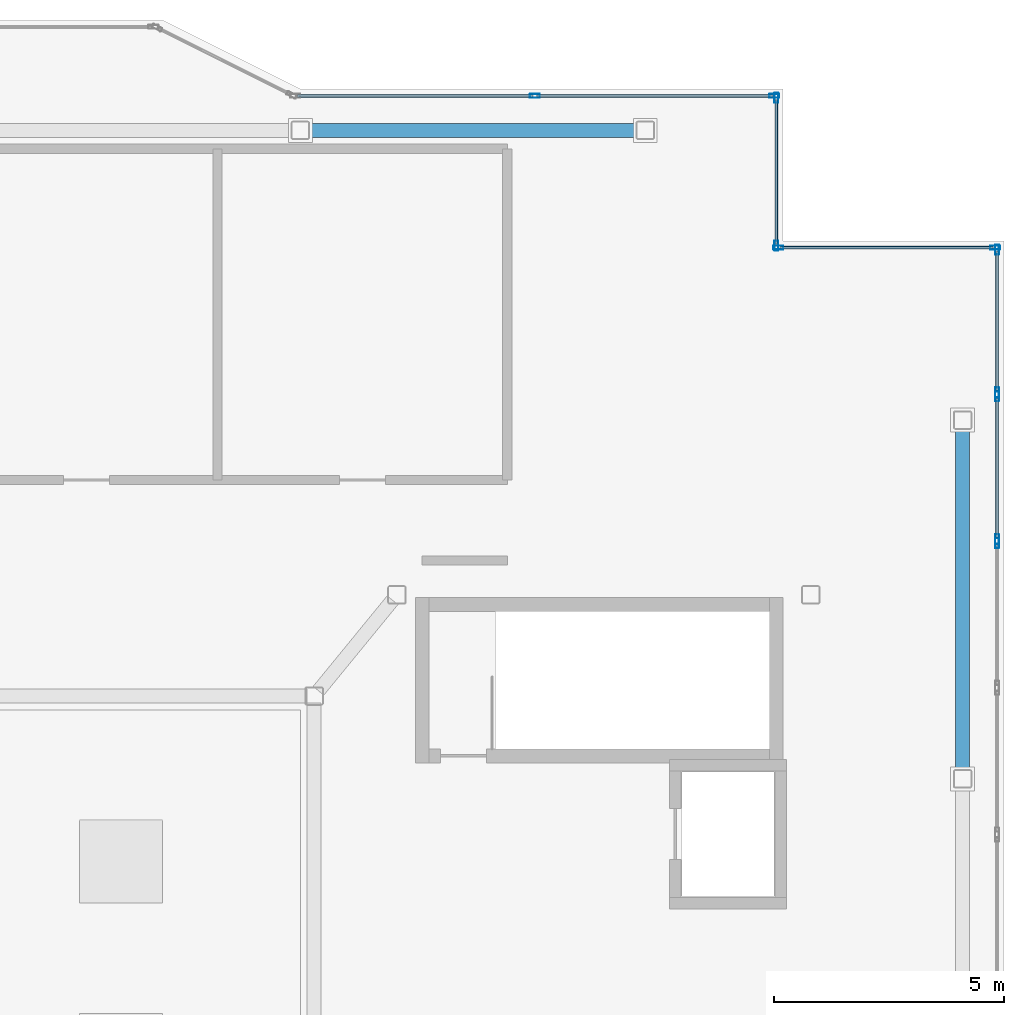
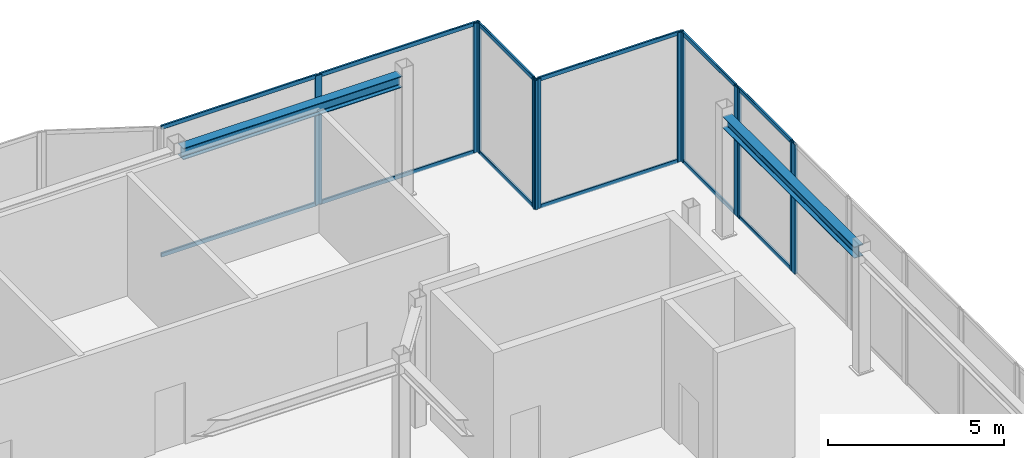
# One storey, part 12 of 18: 23 members, 2 beams, 6 elements without a shape of their own.
"""IFC4 building model written with IfcOpenShell, lengths in metres."""

import ifcopenshell
import ifcopenshell.guid

model = None  # the IFC model being written
_history = None  # IfcOwnerHistory: only IFC2X3 demands one
_inside = {}  # id of a spatial element -> (the spatial element, [elements in it])
_under = {}  # id of a project, library or spatial element -> (it, [spatial elements below it])
_declared = {}  # id of a project -> (the project, [libraries it declares])
_typed = {}  # id of a type object -> (the type object, [elements of that type])
_made_of = {}  # id of a material, layer set ... -> (it, [elements and type objects made of it])


def new_model(schema):
    """Start an empty IFC model of exactly this schema.

    Asked for "IFC4X3", IfcOpenShell would pick the latest addendum, in which some entities
    have other attributes; the version numbers below select the first issue.
    IFC2X3 requires an IfcOwnerHistory on every rooted entity: one is made here for all.
    """
    global model, _history
    if schema == "IFC4X3":
        model = ifcopenshell.file(schema_version=(4, 3, 0, 0))
    else:
        model = ifcopenshell.file(schema=schema)
    _inside.clear()
    _under.clear()
    _declared.clear()
    _typed.clear()
    _made_of.clear()
    _history = None
    if model.schema == "IFC2X3":
        org = make("IfcOrganization", Name="unknown")
        user = make(
            "IfcPersonAndOrganization",
            ThePerson=make("IfcPerson", FamilyName="unknown"),
            TheOrganization=org,
        )
        app = make(
            "IfcApplication",
            ApplicationDeveloper=org,
            Version="unknown",
            ApplicationFullName="unknown",
            ApplicationIdentifier="unknown",
        )
        _history = make(
            "IfcOwnerHistory",
            OwningUser=user,
            OwningApplication=app,
            ChangeAction="ADDED",
            CreationDate=0,
        )
    return model


def make(cls, **values):
    """One entity of the class cls with the attributes given. An attribute that is None is left unset."""
    return model.create_entity(
        cls, **{name: value for name, value in values.items() if value is not None}
    )


def rooted(cls, **values):
    """An entity with a GlobalId (a new one), such as an element, a storey or a relation."""
    return make(cls, GlobalId=ifcopenshell.guid.new(), OwnerHistory=_history, **values)


def si_unit(unit_type, name, prefix=None):
    """IfcSIUnit, for example si_unit("LENGTHUNIT", "METRE", prefix="MILLI")."""
    return make("IfcSIUnit", UnitType=unit_type, Prefix=prefix, Name=name)


def assignment(units):
    """IfcUnitAssignment: the units of a project."""
    return None if units is None else make("IfcUnitAssignment", Units=units)


def point(xyz):
    """IfcCartesianPoint."""
    return None if xyz is None else make("IfcCartesianPoint", Coordinates=xyz)


def direction(xyz):
    """IfcDirection."""
    return None if xyz is None else make("IfcDirection", DirectionRatios=xyz)


def frame(location, z_axis=None, x_axis=None):
    """IfcAxis2Placement3D, a coordinate frame: its origin and axes. An axis left out is left unset."""
    return make(
        "IfcAxis2Placement3D",
        Location=point(location),
        Axis=direction(z_axis),
        RefDirection=direction(x_axis),
    )


def frame_2d(location, x_axis=None):
    """IfcAxis2Placement2D, a coordinate frame in the plane: its origin and x axis."""
    return make(
        "IfcAxis2Placement2D", Location=point(location), RefDirection=direction(x_axis)
    )


def origin():
    """The frame at (0, 0, 0) with its axes left unset."""
    return frame((0.0, 0.0, 0.0))


def origin_2d():
    """The frame at (0, 0) in the plane with its x axis left unset."""
    return frame_2d((0.0, 0.0))


def place(relative_to, where):
    """IfcLocalPlacement: puts the frame where relative to a parent placement (None: the world)."""
    return make(
        "IfcLocalPlacement", PlacementRelTo=relative_to, RelativePlacement=where
    )


def context(
    kind, dimensions, precision=None, world=None, true_north=None, identifier=None
):
    """IfcGeometricRepresentationContext, for example the 3D "Model" context."""
    return make(
        "IfcGeometricRepresentationContext",
        ContextIdentifier=identifier,
        ContextType=kind,
        CoordinateSpaceDimension=dimensions,
        Precision=precision,
        WorldCoordinateSystem=world,
        TrueNorth=true_north,
    )


def subcontext(parent, identifier, kind, view, scale=None):
    """IfcGeometricRepresentationSubContext, for example "Body" below "Model"."""
    return make(
        "IfcGeometricRepresentationSubContext",
        ContextIdentifier=identifier,
        ContextType=kind,
        ParentContext=parent,
        TargetScale=scale,
        TargetView=view,
    )


def project(units=None, contexts=None):
    """IfcProject with its units and contexts."""
    return rooted(
        "IfcProject",
        Name="project",
        RepresentationContexts=contexts,
        UnitsInContext=assignment(units),
    )


def spatial(cls, under=None, at=None, **own):
    """A site, building, storey or space (cls), placed at a placement, below another one or the project."""
    s = rooted(cls, ObjectPlacement=at, **own)
    if under is not None:
        _under.setdefault(under.id(), (under, []))[1].append(s)
    return s


def profile(cls, at=None, kind="AREA", **sizes):
    """A parametric profile (cls). Its sizes go by their IFC names, for example OverallWidth=200.0."""
    return make(cls, ProfileType=kind, Position=at, **sizes)


def hollow_rectangle(**sizes):
    """IfcRectangleHollowProfileDef."""
    return profile("IfcRectangleHollowProfileDef", **sizes)


def i_section(**sizes):
    """IfcIShapeProfileDef."""
    return profile("IfcIShapeProfileDef", **sizes)


def extrude(swept, where, along, depth):
    """IfcExtrudedAreaSolid: the profile swept, set in the frame where, extruded along a direction by depth."""
    return make(
        "IfcExtrudedAreaSolid",
        SweptArea=swept,
        Position=where,
        ExtrudedDirection=direction(along),
        Depth=depth,
    )


def shape(context_of_items, identifier, shape_type, items):
    """IfcShapeRepresentation: the items that make up one representation, for example the "Body"."""
    return make(
        "IfcShapeRepresentation",
        ContextOfItems=context_of_items,
        RepresentationIdentifier=identifier,
        RepresentationType=shape_type,
        Items=items,
    )


def material(Name=None, Category=None):
    """IfcMaterial."""
    return make("IfcMaterial", Name=Name, Category=Category)


def layer(
    of_material, thickness, ventilated=None, Name=None, Category=None, Priority=None
):
    """IfcMaterialLayer: one layer of a wall or slab, of a material (None: an air gap)."""
    return make(
        "IfcMaterialLayer",
        Material=of_material,
        LayerThickness=thickness,
        IsVentilated=ventilated,
        Name=Name,
        Category=Category,
        Priority=Priority,
    )


def layer_set(layers, Name=None):
    """IfcMaterialLayerSet."""
    return make("IfcMaterialLayerSet", MaterialLayers=layers, LayerSetName=Name)


def material_profile(
    of_material, cross_section, Name=None, Category=None, Priority=None
):
    """IfcMaterialProfile: a cross section and its material."""
    return make(
        "IfcMaterialProfile",
        Name=Name,
        Material=of_material,
        Profile=cross_section,
        Priority=Priority,
        Category=Category,
    )


def profile_set(profiles, Name=None, composite=None):
    """IfcMaterialProfileSet."""
    return make(
        "IfcMaterialProfileSet",
        Name=Name,
        MaterialProfiles=profiles,
        CompositeProfile=composite,
    )


def made_of(thing, what):
    """Note that an element or type object is made of a material, layer set ...; save() writes the relation."""
    if what is not None:
        _made_of.setdefault(what.id(), (what, []))[1].append(thing)
    return thing


def type_object(cls, material=None, **own):
    """A type object (cls), such as IfcWallType, which elements share."""
    return made_of(rooted(cls, **own), material)


def element(
    cls,
    number,
    at=None,
    inside=None,
    cuts=None,
    type_object=None,
    material=None,
    context=None,
    identifier="Body",
    shape_type=None,
    held_by="IfcProductDefinitionShape",
    body=None,
    shapes=None,
    **own,
):
    """One element of the class cls, such as IfcWall. Its Tag is "e" and its number.

    at: its placement. inside: the storey or other place that contains it. cuts: it is an
    opening in that element (IfcRelVoidsElement). A single representation is given by context,
    identifier, shape_type and body (its items); several are given by shapes. held_by: the class
    of the entity that holds the representations. save() writes the other relations.
    """
    e = rooted(cls, Tag="e%d" % number, ObjectPlacement=at, **own)
    if body is not None:
        shapes = [shape(context, identifier, shape_type, body)]
    if shapes is not None:
        e.Representation = make(held_by, Representations=shapes)
    if inside is not None:
        _inside.setdefault(inside.id(), (inside, []))[1].append(e)
    if cuts is not None:
        rooted(
            "IfcRelVoidsElement", RelatingBuildingElement=cuts, RelatedOpeningElement=e
        )
    if type_object is not None:
        _typed.setdefault(type_object.id(), (type_object, []))[1].append(e)
    return made_of(e, material)


def aggregate(whole, parts):
    """IfcRelAggregates: a whole, such as a stair, and the parts it consists of."""
    return rooted("IfcRelAggregates", RelatingObject=whole, RelatedObjects=parts)


def save(model, path):
    """Write the relations noted so far, then the file.

    IfcRelAggregates (storeys below a building ...), IfcRelContainedInSpatialStructure (elements
    in a storey), IfcRelDefinesByType, IfcRelAssociatesMaterial and IfcRelDeclares: one each for
    every whole, place, type object, material and project.
    """
    for whole, parts in _under.values():
        aggregate(whole, parts)
    for where, things in _inside.values():
        rooted(
            "IfcRelContainedInSpatialStructure",
            RelatedElements=things,
            RelatingStructure=where,
        )
    for kind, things in _typed.values():
        rooted("IfcRelDefinesByType", RelatedObjects=things, RelatingType=kind)
    for what, things in _made_of.values():
        rooted("IfcRelAssociatesMaterial", RelatedObjects=things, RelatingMaterial=what)
    for by, libraries in _declared.values():
        rooted("IfcRelDeclares", RelatingContext=by, RelatedDefinitions=libraries)
    model.write(path)


model = new_model("IFC4")

# Units and contexts
model_context = context("Model", 3, precision=1e-05, world=origin(), true_north=direction((0.0, 1.0)))
body_context = subcontext(model_context, "Body", "Model", "MODEL_VIEW")
ifc_project = project(units=[si_unit("LENGTHUNIT", "METRE"), si_unit("AREAUNIT", "SQUARE_METRE"), si_unit("VOLUMEUNIT", "CUBIC_METRE"), si_unit("PLANEANGLEUNIT", "RADIAN"), si_unit("MASSUNIT", "GRAM", prefix="KILO")], contexts=[model_context])

# Site, building, storey
site_placement = place(None, origin())
site = spatial("IfcSite", under=ifc_project, at=site_placement, CompositionType="ELEMENT")
building_placement = place(site_placement, origin())
building = spatial("IfcBuilding", under=site, at=building_placement, Name="Tarnavaz Court Tower", CompositionType="ELEMENT")
storey_placement = place(building_placement, frame((0.0, 0.0, 281.550048828125)))
storey = spatial("IfcBuildingStorey", under=building, at=storey_placement, Name="C01", CompositionType="ELEMENT", Elevation=281.550048828125)

# Beams
ifc_material_1 = material(Name="Steel S355", Category="steel")
ifc_material_profile_1 = material_profile(ifc_material_1, i_section(OverallWidth=0.300048828125, OverallDepth=0.39990234375, WebThickness=0.013427734375, FlangeThickness=0.02392578125, FilletRadius=0.027099609375, at=origin_2d()), Name="HEB 400")
ifc_profile_set_1 = profile_set([ifc_material_profile_1], Name="Steel S355")
beam_type = type_object("IfcBeamType", Name="BM-G-HEB400", PredefinedType="USERDEFINED", material=ifc_profile_set_1)
beam_1_placement = place(storey_placement, frame((7.64990234375, 20.10009765625, 4.0), z_axis=(1.0, 0.0, 0.0), x_axis=(0.0, 1.0, 0.0)))
element("IfcBeam", 1, at=beam_1_placement, inside=storey, type_object=beam_type, Name="C01 Beam CRG-PN-3-PN-4", ObjectType="GIRDER", PredefinedType="USERDEFINED", context=body_context, shape_type="SweptSolid", body=[
    extrude(i_section(OverallWidth=0.300048828125, OverallDepth=0.39990234375, WebThickness=0.013427734375, FlangeThickness=0.02392578125, FilletRadius=0.027099609375, at=origin_2d()), origin(), (0.0, 0.0, 1.0), 7.2001953125),
])
beam_2_placement = place(storey_placement, frame((21.89990234375, 6.14990234375, 4.0), z_axis=(0.0, 1.0, 0.0), x_axis=(-1.0, 0.0, 0.0)))
element("IfcBeam", 2, at=beam_2_placement, inside=storey, type_object=beam_type, Name="C01 Beam CRG-PE-3-PE-4", ObjectType="GIRDER", PredefinedType="USERDEFINED", context=body_context, shape_type="SweptSolid", body=[
    extrude(i_section(OverallWidth=0.300048828125, OverallDepth=0.39990234375, WebThickness=0.013427734375, FlangeThickness=0.02392578125, FilletRadius=0.027099609375, at=origin_2d()), origin(), (0.0, 0.0, 1.0), 7.5),
])

# Curtain wall, members
ifc_material_2 = material(Name="Anodised Aluminium 6063-T6 and Solar Low-E Glazing", Category="aluminium")
ifc_layer = layer(ifc_material_2, 0.2099609375)
ifc_layer_set = layer_set([ifc_layer], Name="Anodised Aluminium 6063-T6 and Solar Low-E Glazing")
curtain_wall_type = type_object("IfcCurtainWallType", Name="CW-SYS-06", PredefinedType="NOTDEFINED", material=ifc_layer_set)
curtain_wall_1_placement = place(storey_placement, origin())
curtain_wall_1 = element("IfcCurtainWall", 3, at=curtain_wall_1_placement, inside=storey, type_object=curtain_wall_type, Name="C01 Slanted Crown Terracotta Curtain Wall 21", PredefinedType="NOTDEFINED")
ifc_material_3 = material(Name="Anodised Aluminium 6063-T6", Category="aluminium")
ifc_material_profile_2 = material_profile(ifc_material_3, hollow_rectangle(XDim=0.0849609375, YDim=0.219970703125, WallThickness=0.006103515625, InnerFilletRadius=0.006103515625, OuterFilletRadius=0.011962890625, at=origin_2d()), Name="ALU RHS 220X85X6")
ifc_profile_set_2 = profile_set([ifc_material_profile_2], Name="Anodised Aluminium 6063-T6")
member_type_1 = type_object("IfcMemberType", Name="CW-MUL-220", PredefinedType="MULLION", material=ifc_profile_set_2)
member_1_placement = place(storey_placement, frame((12.60009765625, 20.85009765625, 0.0), z_axis=(0.0, 0.0, 1.0), x_axis=(0.0, 1.0, 0.0)))
member_1 = element("IfcMember", 4, at=member_1_placement, type_object=member_type_1, Name="CW mullion 2", PredefinedType="MULLION", context=body_context, shape_type="SweptSolid", body=[
    extrude(hollow_rectangle(XDim=0.0849609375, YDim=0.219970703125, WallThickness=0.006103515625, InnerFilletRadius=0.006103515625, OuterFilletRadius=0.011962890625, at=origin_2d()), origin(), (0.0, 0.0, 1.0), 4.5),
])
member_2_placement = place(storey_placement, frame((17.8076171875, 20.85009765625, 0.0), z_axis=(0.0, 0.0, 1.0), x_axis=(0.0, 1.0, 0.0)))
member_2 = element("IfcMember", 5, at=member_2_placement, type_object=member_type_1, Name="CW mullion 3", PredefinedType="MULLION", context=body_context, shape_type="SweptSolid", body=[
    extrude(hollow_rectangle(XDim=0.0849609375, YDim=0.219970703125, WallThickness=0.006103515625, InnerFilletRadius=0.006103515625, OuterFilletRadius=0.011962890625, at=origin_2d()), origin(), (0.0, 0.0, 1.0), 4.5),
])

curtain_wall_2_placement = place(storey_placement, origin())
curtain_wall_2 = element("IfcCurtainWall", 6, at=curtain_wall_2_placement, inside=storey, type_object=curtain_wall_type, Name="C01 Slanted Crown Terracotta Curtain Wall 22", PredefinedType="NOTDEFINED")
member_3_placement = place(storey_placement, frame((17.85009765625, 20.8076171875, 0.0), z_axis=(0.0, 0.0, 1.0), x_axis=(1.0, 0.0, 0.0)))
member_3 = element("IfcMember", 7, at=member_3_placement, type_object=member_type_1, Name="CW mullion 1", PredefinedType="MULLION", context=body_context, shape_type="SweptSolid", body=[
    extrude(hollow_rectangle(XDim=0.0849609375, YDim=0.219970703125, WallThickness=0.006103515625, InnerFilletRadius=0.006103515625, OuterFilletRadius=0.011962890625, at=origin_2d()), origin(), (0.0, 0.0, 1.0), 4.5),
])
member_4_placement = place(storey_placement, frame((17.85009765625, 17.592529296875, 0.0), z_axis=(0.0, 0.0, 1.0), x_axis=(1.0, 0.0, 0.0)))
member_4 = element("IfcMember", 8, at=member_4_placement, type_object=member_type_1, Name="CW mullion 2", PredefinedType="MULLION", context=body_context, shape_type="SweptSolid", body=[
    extrude(hollow_rectangle(XDim=0.0849609375, YDim=0.219970703125, WallThickness=0.006103515625, InnerFilletRadius=0.006103515625, OuterFilletRadius=0.011962890625, at=origin_2d()), origin(), (0.0, 0.0, 1.0), 4.5),
])

curtain_wall_3_placement = place(storey_placement, origin())
curtain_wall_3 = element("IfcCurtainWall", 9, at=curtain_wall_3_placement, inside=storey, type_object=curtain_wall_type, Name="C01 Slanted Crown Terracotta Curtain Wall 23", PredefinedType="NOTDEFINED")
member_5_placement = place(storey_placement, frame((17.892578125, 17.550048828125, 0.0), z_axis=(0.0, 0.0, 1.0), x_axis=(0.0, 1.0, 0.0)))
member_5 = element("IfcMember", 10, at=member_5_placement, type_object=member_type_1, Name="CW mullion 1", PredefinedType="MULLION", context=body_context, shape_type="SweptSolid", body=[
    extrude(hollow_rectangle(XDim=0.0849609375, YDim=0.219970703125, WallThickness=0.006103515625, InnerFilletRadius=0.006103515625, OuterFilletRadius=0.011962890625, at=origin_2d()), origin(), (0.0, 0.0, 1.0), 4.5),
])
member_6_placement = place(storey_placement, frame((22.607421875, 17.550048828125, 0.0), z_axis=(0.0, 0.0, 1.0), x_axis=(0.0, 1.0, 0.0)))
member_6 = element("IfcMember", 11, at=member_6_placement, type_object=member_type_1, Name="CW mullion 2", PredefinedType="MULLION", context=body_context, shape_type="SweptSolid", body=[
    extrude(hollow_rectangle(XDim=0.0849609375, YDim=0.219970703125, WallThickness=0.006103515625, InnerFilletRadius=0.006103515625, OuterFilletRadius=0.011962890625, at=origin_2d()), origin(), (0.0, 0.0, 1.0), 4.5),
])

curtain_wall_4_placement = place(storey_placement, origin())
curtain_wall_4 = element("IfcCurtainWall", 12, at=curtain_wall_4_placement, inside=storey, type_object=curtain_wall_type, Name="C01 Slanted Crown Terracotta Curtain Wall 24", PredefinedType="NOTDEFINED")
member_7_placement = place(storey_placement, frame((22.64990234375, 17.507568359375, 0.0), z_axis=(0.0, 0.0, 1.0), x_axis=(1.0, 0.0, 0.0)))
member_7 = element("IfcMember", 13, at=member_7_placement, type_object=member_type_1, Name="CW mullion 1", PredefinedType="MULLION", context=body_context, shape_type="SweptSolid", body=[
    extrude(hollow_rectangle(XDim=0.0849609375, YDim=0.219970703125, WallThickness=0.006103515625, InnerFilletRadius=0.006103515625, OuterFilletRadius=0.011962890625, at=origin_2d()), origin(), (0.0, 0.0, 1.0), 4.5),
])
member_8_placement = place(storey_placement, frame((22.64990234375, 14.401611328125, 0.0), z_axis=(0.0, 0.0, 1.0), x_axis=(1.0, 0.0, 0.0)))
member_8 = element("IfcMember", 14, at=member_8_placement, type_object=member_type_1, Name="CW mullion 2", PredefinedType="MULLION", context=body_context, shape_type="SweptSolid", body=[
    extrude(hollow_rectangle(XDim=0.0849609375, YDim=0.219970703125, WallThickness=0.006103515625, InnerFilletRadius=0.006103515625, OuterFilletRadius=0.011962890625, at=origin_2d()), origin(), (0.0, 0.0, 1.0), 4.5),
])

curtain_wall_5_placement = place(storey_placement, origin())
curtain_wall_5 = element("IfcCurtainWall", 15, at=curtain_wall_5_placement, inside=storey, type_object=curtain_wall_type, Name="C01 Slanted Crown Terracotta Curtain Wall 25", PredefinedType="NOTDEFINED")
member_9_placement = place(storey_placement, frame((22.64990234375, 14.316650390625, 0.0), z_axis=(0.0, 0.0, 1.0), x_axis=(1.0, 0.0, 0.0)))
member_9 = element("IfcMember", 16, at=member_9_placement, type_object=member_type_1, Name="CW mullion 1", PredefinedType="MULLION", context=body_context, shape_type="SweptSolid", body=[
    extrude(hollow_rectangle(XDim=0.0849609375, YDim=0.219970703125, WallThickness=0.006103515625, InnerFilletRadius=0.006103515625, OuterFilletRadius=0.011962890625, at=origin_2d()), origin(), (0.0, 0.0, 1.0), 4.5),
])
member_10_placement = place(storey_placement, frame((22.64990234375, 11.210693359375, 0.0), z_axis=(0.0, 0.0, 1.0), x_axis=(1.0, 0.0, 0.0)))
member_10 = element("IfcMember", 17, at=member_10_placement, type_object=member_type_1, Name="CW mullion 2", PredefinedType="MULLION", context=body_context, shape_type="SweptSolid", body=[
    extrude(hollow_rectangle(XDim=0.0849609375, YDim=0.219970703125, WallThickness=0.006103515625, InnerFilletRadius=0.006103515625, OuterFilletRadius=0.011962890625, at=origin_2d()), origin(), (0.0, 0.0, 1.0), 4.5),
])

# Curtain wall, member
curtain_wall_6_placement = place(storey_placement, origin())
curtain_wall_6 = element("IfcCurtainWall", 18, at=curtain_wall_6_placement, inside=storey, type_object=curtain_wall_type, Name="C01 Slanted Crown Terracotta Curtain Wall 26", PredefinedType="NOTDEFINED")
member_11_placement = place(storey_placement, frame((22.64990234375, 11.125732421875, 0.0), z_axis=(0.0, 0.0, 1.0), x_axis=(1.0, 0.0, 0.0)))
member_11 = element("IfcMember", 19, at=member_11_placement, type_object=member_type_1, Name="CW mullion 1", PredefinedType="MULLION", context=body_context, shape_type="SweptSolid", body=[
    extrude(hollow_rectangle(XDim=0.0849609375, YDim=0.219970703125, WallThickness=0.006103515625, InnerFilletRadius=0.006103515625, OuterFilletRadius=0.011962890625, at=origin_2d()), origin(), (0.0, 0.0, 1.0), 4.5),
])
aggregate(curtain_wall_6, [member_11])

# Member
ifc_material_profile_3 = material_profile(ifc_material_3, hollow_rectangle(XDim=0.06494140625, YDim=0.139892578125, WallThickness=0.00390625, InnerFilletRadius=0.00390625, OuterFilletRadius=0.008056640625, at=origin_2d()), Name="ALU RHS 140X65X4")
ifc_profile_set_3 = profile_set([ifc_material_profile_3], Name="Anodised Aluminium 6063-T6")
member_type_2 = type_object("IfcMemberType", Name="CW-TRN-140", PredefinedType="USERDEFINED", material=ifc_profile_set_3)
member_12_placement = place(storey_placement, frame((7.43505859375, 20.85009765625, 0.032470703125), z_axis=(1.0, 0.0, 0.0), x_axis=(0.0, 1.0, 0.0)))
member_12 = element("IfcMember", 20, at=member_12_placement, type_object=member_type_2, Name="CW transom 1.1", ObjectType="TRANSOM", PredefinedType="USERDEFINED", context=body_context, shape_type="SweptSolid", body=[
    extrude(hollow_rectangle(XDim=0.06494140625, YDim=0.139892578125, WallThickness=0.00390625, InnerFilletRadius=0.00390625, OuterFilletRadius=0.008056640625, at=origin_2d()), origin(), (0.0, 0.0, 1.0), 5.12255859375),
])

member_13_placement = place(storey_placement, frame((7.43505859375, 20.85009765625, 4.467529296875), z_axis=(1.0, 0.0, 0.0), x_axis=(0.0, 1.0, 0.0)))
member_13 = element("IfcMember", 21, at=member_13_placement, type_object=member_type_2, Name="CW transom 1.2", ObjectType="TRANSOM", PredefinedType="USERDEFINED", context=body_context, shape_type="SweptSolid", body=[
    extrude(hollow_rectangle(XDim=0.06494140625, YDim=0.139892578125, WallThickness=0.00390625, InnerFilletRadius=0.00390625, OuterFilletRadius=0.008056640625, at=origin_2d()), origin(), (0.0, 0.0, 1.0), 5.12255859375),
])

member_14_placement = place(storey_placement, frame((12.642578125, 20.85009765625, 0.032470703125), z_axis=(1.0, 0.0, 0.0), x_axis=(0.0, 1.0, 0.0)))
member_14 = element("IfcMember", 22, at=member_14_placement, type_object=member_type_2, Name="CW transom 2.1", ObjectType="TRANSOM", PredefinedType="USERDEFINED", context=body_context, shape_type="SweptSolid", body=[
    extrude(hollow_rectangle(XDim=0.06494140625, YDim=0.139892578125, WallThickness=0.00390625, InnerFilletRadius=0.00390625, OuterFilletRadius=0.008056640625, at=origin_2d()), origin(), (0.0, 0.0, 1.0), 5.122314453125),
])

member_15_placement = place(storey_placement, frame((12.642578125, 20.85009765625, 4.467529296875), z_axis=(1.0, 0.0, 0.0), x_axis=(0.0, 1.0, 0.0)))
member_15 = element("IfcMember", 23, at=member_15_placement, type_object=member_type_2, Name="CW transom 2.2", ObjectType="TRANSOM", PredefinedType="USERDEFINED", context=body_context, shape_type="SweptSolid", body=[
    extrude(hollow_rectangle(XDim=0.06494140625, YDim=0.139892578125, WallThickness=0.00390625, InnerFilletRadius=0.00390625, OuterFilletRadius=0.008056640625, at=origin_2d()), origin(), (0.0, 0.0, 1.0), 5.122314453125),
])

aggregate(curtain_wall_1, [member_1, member_2, member_12, member_13, member_14, member_15])

member_16_placement = place(storey_placement, frame((17.85009765625, 20.764892578125, 0.032470703125), z_axis=(0.0, -1.0, 0.0), x_axis=(1.0, 0.0, 0.0)))
member_16 = element("IfcMember", 24, at=member_16_placement, type_object=member_type_2, Name="CW transom 1.1", ObjectType="TRANSOM", PredefinedType="USERDEFINED", context=body_context, shape_type="SweptSolid", body=[
    extrude(hollow_rectangle(XDim=0.06494140625, YDim=0.139892578125, WallThickness=0.00390625, InnerFilletRadius=0.00390625, OuterFilletRadius=0.008056640625, at=origin_2d()), origin(), (0.0, 0.0, 1.0), 3.1298828125),
])

member_17_placement = place(storey_placement, frame((17.85009765625, 20.764892578125, 4.467529296875), z_axis=(0.0, -1.0, 0.0), x_axis=(1.0, 0.0, 0.0)))
member_17 = element("IfcMember", 25, at=member_17_placement, type_object=member_type_2, Name="CW transom 1.2", ObjectType="TRANSOM", PredefinedType="USERDEFINED", context=body_context, shape_type="SweptSolid", body=[
    extrude(hollow_rectangle(XDim=0.06494140625, YDim=0.139892578125, WallThickness=0.00390625, InnerFilletRadius=0.00390625, OuterFilletRadius=0.008056640625, at=origin_2d()), origin(), (0.0, 0.0, 1.0), 3.1298828125),
])

aggregate(curtain_wall_2, [member_3, member_4, member_16, member_17])

member_18_placement = place(storey_placement, frame((17.93505859375, 17.550048828125, 0.032470703125), z_axis=(1.0, 0.0, 0.0), x_axis=(0.0, 1.0, 0.0)))
member_18 = element("IfcMember", 26, at=member_18_placement, type_object=member_type_2, Name="CW transom 1.1", ObjectType="TRANSOM", PredefinedType="USERDEFINED", context=body_context, shape_type="SweptSolid", body=[
    extrude(hollow_rectangle(XDim=0.06494140625, YDim=0.139892578125, WallThickness=0.00390625, InnerFilletRadius=0.00390625, OuterFilletRadius=0.008056640625, at=origin_2d()), origin(), (0.0, 0.0, 1.0), 4.6298828125),
])

member_19_placement = place(storey_placement, frame((17.93505859375, 17.550048828125, 4.467529296875), z_axis=(1.0, 0.0, 0.0), x_axis=(0.0, 1.0, 0.0)))
member_19 = element("IfcMember", 27, at=member_19_placement, type_object=member_type_2, Name="CW transom 1.2", ObjectType="TRANSOM", PredefinedType="USERDEFINED", context=body_context, shape_type="SweptSolid", body=[
    extrude(hollow_rectangle(XDim=0.06494140625, YDim=0.139892578125, WallThickness=0.00390625, InnerFilletRadius=0.00390625, OuterFilletRadius=0.008056640625, at=origin_2d()), origin(), (0.0, 0.0, 1.0), 4.6298828125),
])

aggregate(curtain_wall_3, [member_5, member_6, member_18, member_19])

member_20_placement = place(storey_placement, frame((22.64990234375, 17.465087890625, 0.032470703125), z_axis=(0.0, -1.0, 0.0), x_axis=(1.0, 0.0, 0.0)))
member_20 = element("IfcMember", 28, at=member_20_placement, type_object=member_type_2, Name="CW transom 1.1", ObjectType="TRANSOM", PredefinedType="USERDEFINED", context=body_context, shape_type="SweptSolid", body=[
    extrude(hollow_rectangle(XDim=0.06494140625, YDim=0.139892578125, WallThickness=0.00390625, InnerFilletRadius=0.00390625, OuterFilletRadius=0.008056640625, at=origin_2d()), origin(), (0.0, 0.0, 1.0), 3.02099609375),
])

member_21_placement = place(storey_placement, frame((22.64990234375, 17.465087890625, 4.467529296875), z_axis=(0.0, -1.0, 0.0), x_axis=(1.0, 0.0, 0.0)))
member_21 = element("IfcMember", 29, at=member_21_placement, type_object=member_type_2, Name="CW transom 1.2", ObjectType="TRANSOM", PredefinedType="USERDEFINED", context=body_context, shape_type="SweptSolid", body=[
    extrude(hollow_rectangle(XDim=0.06494140625, YDim=0.139892578125, WallThickness=0.00390625, InnerFilletRadius=0.00390625, OuterFilletRadius=0.008056640625, at=origin_2d()), origin(), (0.0, 0.0, 1.0), 3.02099609375),
])

aggregate(curtain_wall_4, [member_7, member_8, member_20, member_21])

member_22_placement = place(storey_placement, frame((22.64990234375, 14.274169921875, 0.032470703125), z_axis=(0.0, -1.0, 0.0), x_axis=(1.0, 0.0, 0.0)))
member_22 = element("IfcMember", 30, at=member_22_placement, type_object=member_type_2, Name="CW transom 1.1", ObjectType="TRANSOM", PredefinedType="USERDEFINED", context=body_context, shape_type="SweptSolid", body=[
    extrude(hollow_rectangle(XDim=0.06494140625, YDim=0.139892578125, WallThickness=0.00390625, InnerFilletRadius=0.00390625, OuterFilletRadius=0.008056640625, at=origin_2d()), origin(), (0.0, 0.0, 1.0), 3.02099609375),
])

member_23_placement = place(storey_placement, frame((22.64990234375, 14.274169921875, 4.467529296875), z_axis=(0.0, -1.0, 0.0), x_axis=(1.0, 0.0, 0.0)))
member_23 = element("IfcMember", 31, at=member_23_placement, type_object=member_type_2, Name="CW transom 1.2", ObjectType="TRANSOM", PredefinedType="USERDEFINED", context=body_context, shape_type="SweptSolid", body=[
    extrude(hollow_rectangle(XDim=0.06494140625, YDim=0.139892578125, WallThickness=0.00390625, InnerFilletRadius=0.00390625, OuterFilletRadius=0.008056640625, at=origin_2d()), origin(), (0.0, 0.0, 1.0), 3.02099609375),
])

aggregate(curtain_wall_5, [member_9, member_10, member_22, member_23])

save(model, "model.ifc")
